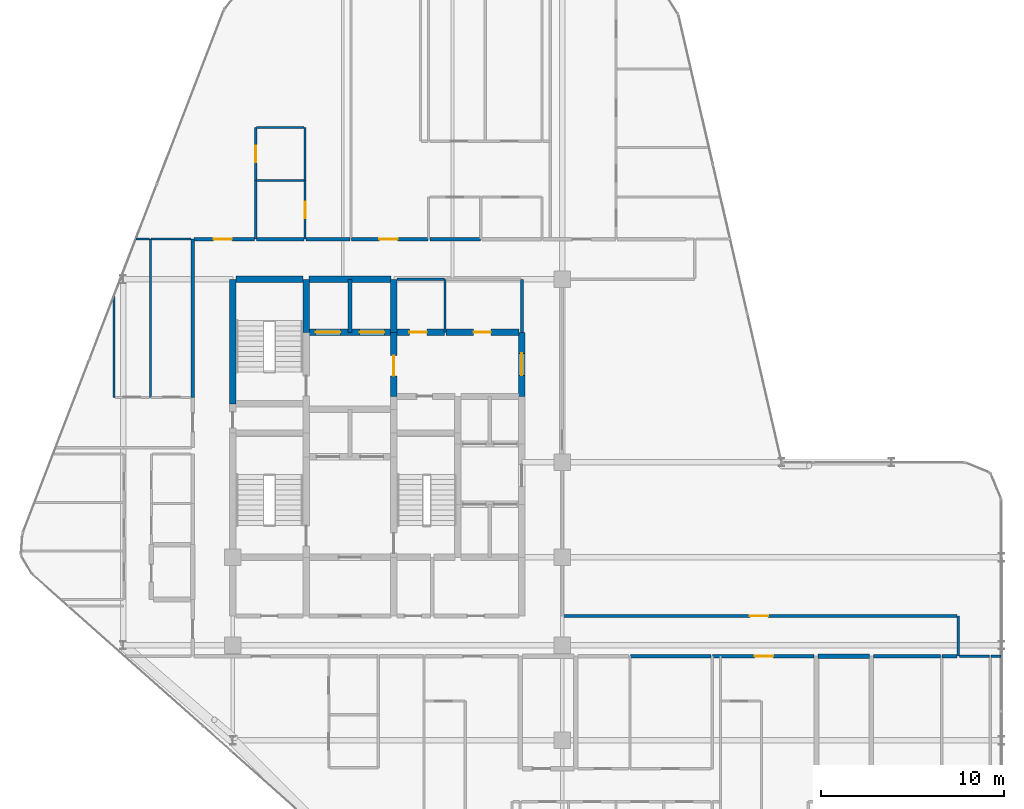
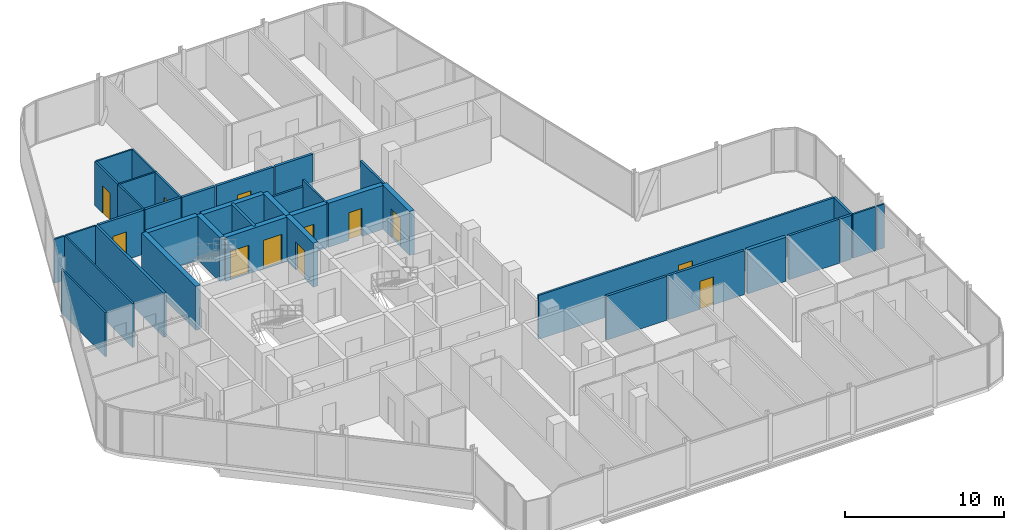
# One storey, part 26 of 29: 39 walls, 12 doors, 12 openings.
"""IFC4 building model written with IfcOpenShell, lengths in metres."""

from ifc_helpers import new_model, si_unit, direction, frame, frame_2d, origin, place, context, subcontext, project, spatial, rectangle, extrude, material, layer, layer_set, type_object, element, fill, save


model = new_model("IFC4")

# Units and contexts
model_context = context("Model", 3, precision=1e-05, world=origin(), true_north=direction((0.0, 1.0)))
body_context = subcontext(model_context, "Body", "Model", "MODEL_VIEW")
ifc_project = project(units=[si_unit("LENGTHUNIT", "METRE"), si_unit("AREAUNIT", "SQUARE_METRE"), si_unit("VOLUMEUNIT", "CUBIC_METRE"), si_unit("PLANEANGLEUNIT", "RADIAN"), si_unit("MASSUNIT", "GRAM", prefix="KILO")], contexts=[model_context])

# Site, building, storey
site_placement = place(None, origin())
site = spatial("IfcSite", under=ifc_project, at=site_placement, CompositionType="ELEMENT")
building_placement = place(site_placement, origin())
building = spatial("IfcBuilding", under=site, at=building_placement, Name="Keshet Zoharim Tower", CompositionType="ELEMENT")
storey_placement = place(building_placement, frame((0.0, 0.0, 176.5)))
storey = spatial("IfcBuildingStorey", under=building, at=storey_placement, Name="L43", CompositionType="ELEMENT", Elevation=176.5)

# Walls
ifc_material_1 = material(Name="Gypsum Plasterboard", Category="gypsum")
ifc_layer_1 = layer(ifc_material_1, 0.14990234375)
ifc_layer_set_1 = layer_set([ifc_layer_1], Name="Gypsum Plasterboard")
wall_type_1 = type_object("IfcWallType", Name="WL-CLIN-150", PredefinedType="STANDARD", material=ifc_layer_set_1)
wall_1_placement = place(storey_placement, frame((30.800048828125, 35.0, 0.0), z_axis=(0.0, 0.0, 1.0), x_axis=(0.0, 1.0, 0.0)))
element("IfcWall", 1, at=wall_1_placement, inside=storey, type_object=wall_type_1, Name="L43 Interior Wall 064", PredefinedType="STANDARD", context=body_context, shape_type="SweptSolid", body=[
    extrude(rectangle(XDim=2.89990234375, YDim=0.14990234375, at=frame_2d((1.449951171875, 0.0))), origin(), (0.0, 0.0, 1.0), 3.389892578125),
])
wall_2_placement = place(storey_placement, frame((54.64990234375, 17.31005859375, 0.0), z_axis=(0.0, 0.0, 1.0), x_axis=(0.0, 1.0, 0.0)))
element("IfcWall", 2, at=wall_2_placement, inside=storey, type_object=wall_type_1, Name="L43 Interior Wall 092", PredefinedType="STANDARD", context=body_context, shape_type="SweptSolid", body=[
    extrude(rectangle(XDim=2.18994140625, YDim=0.14990234375, at=frame_2d((1.094970703125, 0.0))), origin(), (0.0, 0.0, 1.0), 3.389892578125),
])

# Wall, opening, door
wall_3_placement = place(storey_placement, frame((33.070068359375, 19.5, 0.0), z_axis=(0.0, 0.0, 1.0), x_axis=(1.0, 0.0, 0.0)))
wall_3 = element("IfcWall", 3, at=wall_3_placement, inside=storey, type_object=wall_type_1, Name="L43 Interior Wall 127", PredefinedType="STANDARD", context=body_context, shape_type="SweptSolid", body=[
    extrude(rectangle(XDim=21.510009765625, YDim=0.14990234375, at=frame_2d((10.7548828125, 0.0))), origin(), (0.0, 0.0, 1.0), 3.389892578125),
])
opening_1_placement = place(wall_3_placement, frame((10.18505859375, 0.0, 0.0)))
opening_1 = element("IfcOpeningElement", 4, at=opening_1_placement, cuts=wall_3, Name="Opening D-F310", PredefinedType="OPENING", context=body_context, shape_type="SweptSolid", body=[
    extrude(rectangle(XDim=1.0, YDim=2.14990234375, at=frame_2d((0.5, 1.074951171875))), frame((0.0, 0.0849609375, 0.0), z_axis=(0.0, -1.0, 0.0), x_axis=(1.0, 0.0, 0.0)), (0.0, 0.0, 1.0), 0.169921875),
])
ifc_material_2 = material(Name="Hardwood Timber", Category="wood")
door_type_1 = type_object("IfcDoorType", Name="DR-FD30-100", OperationType="NOTDEFINED", PredefinedType="DOOR", material=ifc_material_2)
door_1_placement = place(opening_1_placement, origin())
door_1 = element("IfcDoor", 5, at=door_1_placement, inside=storey, type_object=door_type_1, Name="L43 South East Residents Services Suite Door 1", OperationType="SINGLE_SWING_RIGHT", OverallHeight=2.14990234375, OverallWidth=1.0, PredefinedType="DOOR", context=body_context, shape_type="SweptSolid", body=[
    extrude(rectangle(XDim=1.0, YDim=2.14990234375, at=frame_2d((0.5, 1.074951171875))), frame((0.0, 0.02490234375, 0.0), z_axis=(0.0, -1.0, 0.0), x_axis=(1.0, 0.0, 0.0)), (0.0, 0.0, 1.0), 0.050048828125),
])
fill(opening_1, door_1)

# Walls
wall_4_placement = place(storey_placement, frame((23.9599609375, 37.89990234375, 0.0), z_axis=(0.0, 0.0, 1.0), x_axis=(1.0, 0.0, 0.0)))
element("IfcWall", 6, at=wall_4_placement, inside=storey, type_object=wall_type_1, Name="L43 Interior Wall 160", PredefinedType="STANDARD", context=body_context, shape_type="SweptSolid", body=[
    extrude(rectangle(XDim=2.594970703125, YDim=0.14990234375, at=frame_2d((1.29736328125, 0.0))), origin(), (0.0, 0.0, 1.0), 2.889892578125),
])
ifc_material_3 = material(Name="Concrete C60/75", Category="concrete")
ifc_layer_2 = layer(ifc_material_3, 0.35009765625)
ifc_layer_set_2 = layer_set([ifc_layer_2], Name="Concrete C60/75")
wall_type_2 = type_object("IfcWallType", Name="WL-CORE-350", PredefinedType="SHEAR", material=ifc_layer_set_2)
wall_5_placement = place(storey_placement, frame((15.0, 31.10009765625, 0.0), z_axis=(0.0, 0.0, 1.0), x_axis=(0.0, 1.0, 0.0)))
element("IfcWall", 7, at=wall_5_placement, inside=storey, type_object=wall_type_2, Name="L43 Core Shear Wall 016", PredefinedType="SHEAR", context=body_context, shape_type="SweptSolid", body=[
    extrude(rectangle(XDim=6.7998046875, YDim=0.35009765625, at=frame_2d((3.39990234375, 0.0))), origin(), (0.0, 0.0, 1.0), 3.389892578125),
])
wall_6_placement = place(storey_placement, frame((19.0, 35.0, 0.0), z_axis=(0.0, 0.0, 1.0), x_axis=(0.0, 1.0, 0.0)))
element("IfcWall", 8, at=wall_6_placement, inside=storey, type_object=wall_type_2, Name="L43 Core Shear Wall 025", PredefinedType="SHEAR", context=body_context, shape_type="SweptSolid", body=[
    extrude(rectangle(XDim=2.89990234375, YDim=0.35009765625, at=frame_2d((1.449951171875, 0.0))), origin(), (0.0, 0.0, 1.0), 3.389892578125),
])

# Wall, opening, door
wall_7_placement = place(storey_placement, frame((23.800048828125, 31.5, 0.0), z_axis=(0.0, 0.0, 1.0), x_axis=(0.0, 1.0, 0.0)))
wall_7 = element("IfcWall", 9, at=wall_7_placement, inside=storey, type_object=wall_type_2, Name="L43 Core Shear Wall 038", PredefinedType="SHEAR", context=body_context, shape_type="SweptSolid", body=[
    extrude(rectangle(XDim=3.5, YDim=0.35009765625, at=frame_2d((1.75, 0.0))), origin(), (0.0, 0.0, 1.0), 3.389892578125),
])
opening_2_placement = place(wall_7_placement, frame((1.126953125, 0.0, 0.0)))
opening_2 = element("IfcOpeningElement", 10, at=opening_2_placement, cuts=wall_7, Name="Opening D-F611", PredefinedType="OPENING", context=body_context, shape_type="SweptSolid", body=[
    extrude(rectangle(XDim=1.10009765625, YDim=2.14990234375, at=frame_2d((0.550048828125, 1.074951171875))), frame((0.0, 0.18505859375, 0.0), z_axis=(0.0, -1.0, 0.0), x_axis=(1.0, 0.0, 0.0)), (0.0, 0.0, 1.0), 0.3701171875),
])
door_type_2 = type_object("IfcDoorType", Name="DR-FD60-110", OperationType="NOTDEFINED", PredefinedType="DOOR", material=ifc_material_2)
door_2_placement = place(opening_2_placement, origin())
door_2 = element("IfcDoor", 11, at=door_2_placement, inside=storey, type_object=door_type_2, Name="L43 Firefighting Lobby Fire Door", OperationType="SINGLE_SWING_LEFT", OverallHeight=2.14990234375, OverallWidth=1.10009765625, PredefinedType="DOOR", context=body_context, shape_type="SweptSolid", body=[
    extrude(rectangle(XDim=1.10009765625, YDim=2.14990234375, at=frame_2d((0.550048828125, 1.074951171875))), frame((0.0, 0.02490234375, 0.0), z_axis=(0.0, -1.0, 0.0), x_axis=(1.0, 0.0, 0.0)), (0.0, 0.0, 1.0), 0.050048828125),
])
fill(opening_2, door_2)

# Wall
wall_8_placement = place(storey_placement, frame((23.800048828125, 35.0, 0.0), z_axis=(0.0, 0.0, 1.0), x_axis=(0.0, 1.0, 0.0)))
element("IfcWall", 12, at=wall_8_placement, inside=storey, type_object=wall_type_2, Name="L43 Core Shear Wall 039", PredefinedType="SHEAR", context=body_context, shape_type="SweptSolid", body=[
    extrude(rectangle(XDim=2.89990234375, YDim=0.35009765625, at=frame_2d((1.449951171875, 0.0))), origin(), (0.0, 0.0, 1.0), 3.389892578125),
])

# Wall, opening, door
wall_9_placement = place(storey_placement, frame((30.800048828125, 31.5, 0.0), z_axis=(0.0, 0.0, 1.0), x_axis=(0.0, 1.0, 0.0)))
wall_9 = element("IfcWall", 13, at=wall_9_placement, inside=storey, type_object=wall_type_2, Name="L43 Core Shear Wall 063", PredefinedType="SHEAR", context=body_context, shape_type="SweptSolid", body=[
    extrude(rectangle(XDim=3.5, YDim=0.35009765625, at=frame_2d((1.75, 0.0))), origin(), (0.0, 0.0, 1.0), 3.389892578125),
])
opening_3_placement = place(wall_9_placement, frame((1.14990234375, 0.0, 0.0)))
opening_3 = element("IfcOpeningElement", 14, at=opening_3_placement, cuts=wall_9, Name="Opening D-F612", PredefinedType="OPENING", context=body_context, shape_type="SweptSolid", body=[
    extrude(rectangle(XDim=1.199951171875, YDim=2.199951171875, at=frame_2d((0.60009765625, 1.10009765625))), frame((0.0, 0.18505859375, 0.0), z_axis=(0.0, -1.0, 0.0), x_axis=(1.0, 0.0, 0.0)), (0.0, 0.0, 1.0), 0.3701171875),
])
door_type_3 = type_object("IfcDoorType", Name="DR-FD60-120", OperationType="NOTDEFINED", PredefinedType="DOOR", material=ifc_material_2)
door_3_placement = place(opening_3_placement, origin())
door_3 = element("IfcDoor", 15, at=door_3_placement, inside=storey, type_object=door_type_3, Name="L43 North Lift Lobby East Fire Door", OperationType="SINGLE_SWING_LEFT", OverallHeight=2.199951171875, OverallWidth=1.199951171875, PredefinedType="DOOR", context=body_context, shape_type="SweptSolid", body=[
    extrude(rectangle(XDim=1.199951171875, YDim=2.199951171875, at=frame_2d((0.60009765625, 1.10009765625))), frame((0.0, 0.02490234375, 0.0), z_axis=(0.0, -1.0, 0.0), x_axis=(1.0, 0.0, 0.0)), (0.0, 0.0, 1.0), 0.050048828125),
])
fill(opening_3, door_3)

# Wall, openings, doors
wall_10_placement = place(storey_placement, frame((19.159912109375, 35.0, 0.0), z_axis=(0.0, 0.0, 1.0), x_axis=(1.0, 0.0, 0.0)))
wall_10 = element("IfcWall", 16, at=wall_10_placement, inside=storey, type_object=wall_type_2, Name="L43 Core Shear Wall 155", PredefinedType="SHEAR", context=body_context, shape_type="SweptSolid", body=[
    extrude(rectangle(XDim=4.47998046875, YDim=0.35009765625, at=frame_2d((2.239990234375, 0.0))), origin(), (0.0, 0.0, 1.0), 3.389892578125),
])
opening_4_placement = place(wall_10_placement, frame((0.364990234375, 0.0, 0.0)))
opening_4 = element("IfcOpeningElement", 17, at=opening_4_placement, cuts=wall_10, Name="Opening LD-02", PredefinedType="OPENING", context=body_context, shape_type="SweptSolid", body=[
    extrude(rectangle(XDim=1.35009765625, YDim=2.199951171875, at=frame_2d((0.675048828125, 1.10009765625))), frame((0.0, 0.18505859375, 0.0), z_axis=(0.0, -1.0, 0.0), x_axis=(1.0, 0.0, 0.0)), (0.0, 0.0, 1.0), 0.3701171875),
])
opening_5_placement = place(wall_10_placement, frame((2.764892578125, 0.0, 0.0)))
opening_5 = element("IfcOpeningElement", 18, at=opening_5_placement, cuts=wall_10, Name="Opening LD-02", PredefinedType="OPENING", context=body_context, shape_type="SweptSolid", body=[
    extrude(rectangle(XDim=1.35009765625, YDim=2.199951171875, at=frame_2d((0.675048828125, 1.10009765625))), frame((0.0, 0.18505859375, 0.0), z_axis=(0.0, -1.0, 0.0), x_axis=(1.0, 0.0, 0.0)), (0.0, 0.0, 1.0), 0.3701171875),
])
ifc_material_4 = material(Name="Steel S355", Category="steel")
door_type_4 = type_object("IfcDoorType", Name="DR-LD02-135", OperationType="DOUBLE_DOOR_SLIDING", PredefinedType="DOOR", material=ifc_material_4)
door_4_placement = place(opening_4_placement, origin())
door_4 = element("IfcDoor", 19, at=door_4_placement, inside=storey, type_object=door_type_4, Name="L43 Firefighting Lift Landing Door FF-01", OperationType="DOUBLE_DOOR_SLIDING", OverallHeight=2.199951171875, OverallWidth=1.35009765625, PredefinedType="DOOR", context=body_context, shape_type="SweptSolid", body=[
    extrude(rectangle(XDim=1.35009765625, YDim=2.199951171875, at=frame_2d((0.675048828125, 1.10009765625))), frame((0.0, 0.02490234375, 0.0), z_axis=(0.0, -1.0, 0.0), x_axis=(1.0, 0.0, 0.0)), (0.0, 0.0, 1.0), 0.050048828125),
])
fill(opening_4, door_4)
door_5_placement = place(opening_5_placement, origin())
door_5 = element("IfcDoor", 20, at=door_5_placement, inside=storey, type_object=door_type_4, Name="L43 Firefighting Lift Landing Door FF-02", OperationType="DOUBLE_DOOR_SLIDING", OverallHeight=2.199951171875, OverallWidth=1.35009765625, PredefinedType="DOOR", context=body_context, shape_type="SweptSolid", body=[
    extrude(rectangle(XDim=1.35009765625, YDim=2.199951171875, at=frame_2d((0.675048828125, 1.10009765625))), frame((0.0, 0.02490234375, 0.0), z_axis=(0.0, -1.0, 0.0), x_axis=(1.0, 0.0, 0.0)), (0.0, 0.0, 1.0), 0.050048828125),
])
fill(opening_5, door_5)

# Wall, opening, door
wall_11_placement = place(storey_placement, frame((23.9599609375, 35.0, 0.0), z_axis=(0.0, 0.0, 1.0), x_axis=(1.0, 0.0, 0.0)))
wall_11 = element("IfcWall", 21, at=wall_11_placement, inside=storey, type_object=wall_type_2, Name="L43 Core Shear Wall 156", PredefinedType="SHEAR", context=body_context, shape_type="SweptSolid", body=[
    extrude(rectangle(XDim=2.594970703125, YDim=0.35009765625, at=frame_2d((1.29736328125, 0.0))), origin(), (0.0, 0.0, 1.0), 3.389892578125),
])
opening_6_placement = place(wall_11_placement, frame((0.69091796875, 0.0, 0.0)))
opening_6 = element("IfcOpeningElement", 22, at=opening_6_placement, cuts=wall_11, Name="Opening D-F695", PredefinedType="OPENING", context=body_context, shape_type="SweptSolid", body=[
    extrude(rectangle(XDim=0.949951171875, YDim=2.14990234375, at=frame_2d((0.47509765625, 1.074951171875))), frame((0.0, 0.18505859375, 0.0), z_axis=(0.0, -1.0, 0.0), x_axis=(1.0, 0.0, 0.0)), (0.0, 0.0, 1.0), 0.3701171875),
])
door_type_5 = type_object("IfcDoorType", Name="DR-FD60-095", OperationType="NOTDEFINED", PredefinedType="DOOR", material=ifc_material_2)
door_6_placement = place(opening_6_placement, frame((0.949951171875, 0.0, 0.0), z_axis=(0.0, 0.0, 1.0), x_axis=(-1.0, 0.0, 0.0)))
door_6 = element("IfcDoor", 23, at=door_6_placement, inside=storey, type_object=door_type_5, Name="L43 Laundry Room Door", OperationType="SINGLE_SWING_LEFT", OverallHeight=2.14990234375, OverallWidth=0.949951171875, PredefinedType="DOOR", context=body_context, shape_type="SweptSolid", body=[
    extrude(rectangle(XDim=0.949951171875, YDim=2.14990234375, at=frame_2d((0.47509765625, 1.074951171875))), frame((0.0, 0.02490234375, 0.0), z_axis=(0.0, -1.0, 0.0), x_axis=(1.0, 0.0, 0.0)), (0.0, 0.0, 1.0), 0.050048828125),
])
fill(opening_6, door_6)

wall_12_placement = place(storey_placement, frame((26.64501953125, 35.0, 0.0), z_axis=(0.0, 0.0, 1.0), x_axis=(1.0, 0.0, 0.0)))
wall_12 = element("IfcWall", 24, at=wall_12_placement, inside=storey, type_object=wall_type_2, Name="L43 Core Shear Wall 157", PredefinedType="SHEAR", context=body_context, shape_type="SweptSolid", body=[
    extrude(rectangle(XDim=3.994873046875, YDim=0.35009765625, at=frame_2d((1.99755859375, 0.0))), origin(), (0.0, 0.0, 1.0), 3.389892578125),
])
opening_7_placement = place(wall_12_placement, frame((1.508056640625, 0.0, 0.0)))
opening_7 = element("IfcOpeningElement", 25, at=opening_7_placement, cuts=wall_12, Name="Opening D-F695", PredefinedType="OPENING", context=body_context, shape_type="SweptSolid", body=[
    extrude(rectangle(XDim=0.949951171875, YDim=2.14990234375, at=frame_2d((0.47509765625, 1.074951171875))), frame((0.0, 0.18505859375, 0.0), z_axis=(0.0, -1.0, 0.0), x_axis=(1.0, 0.0, 0.0)), (0.0, 0.0, 1.0), 0.3701171875),
])
door_7_placement = place(opening_7_placement, frame((0.949951171875, 0.0, 0.0), z_axis=(0.0, 0.0, 1.0), x_axis=(-1.0, 0.0, 0.0)))
door_7 = element("IfcDoor", 26, at=door_7_placement, inside=storey, type_object=door_type_5, Name="L43 Quiet Study Room Door", OperationType="SINGLE_SWING_RIGHT", OverallHeight=2.14990234375, OverallWidth=0.949951171875, PredefinedType="DOOR", context=body_context, shape_type="SweptSolid", body=[
    extrude(rectangle(XDim=0.949951171875, YDim=2.14990234375, at=frame_2d((0.47509765625, 1.074951171875))), frame((0.0, 0.02490234375, 0.0), z_axis=(0.0, -1.0, 0.0), x_axis=(1.0, 0.0, 0.0)), (0.0, 0.0, 1.0), 0.050048828125),
])
fill(opening_7, door_7)

# Walls
wall_13_placement = place(storey_placement, frame((15.159912109375, 37.89990234375, 0.0), z_axis=(0.0, 0.0, 1.0), x_axis=(1.0, 0.0, 0.0)))
element("IfcWall", 27, at=wall_13_placement, inside=storey, type_object=wall_type_2, Name="L43 Core Shear Wall 158", PredefinedType="SHEAR", context=body_context, shape_type="SweptSolid", body=[
    extrude(rectangle(XDim=3.68017578125, YDim=0.35009765625, at=frame_2d((1.840087890625, 0.0))), origin(), (0.0, 0.0, 1.0), 3.389892578125),
])
wall_14_placement = place(storey_placement, frame((19.159912109375, 37.89990234375, 0.0), z_axis=(0.0, 0.0, 1.0), x_axis=(1.0, 0.0, 0.0)))
element("IfcWall", 28, at=wall_14_placement, inside=storey, type_object=wall_type_2, Name="L43 Core Shear Wall 159", PredefinedType="SHEAR", context=body_context, shape_type="SweptSolid", body=[
    extrude(rectangle(XDim=4.47998046875, YDim=0.35009765625, at=frame_2d((2.239990234375, 0.0))), origin(), (0.0, 0.0, 1.0), 3.389892578125),
])
ifc_layer_3 = layer(ifc_material_1, 0.179931640625)
ifc_layer_set_3 = layer_set([ifc_layer_3], Name="Gypsum Plasterboard")
wall_type_3 = type_object("IfcWallType", Name="WL-CORR-180", PredefinedType="STANDARD", material=ifc_layer_set_3)
wall_15_placement = place(storey_placement, frame((12.800048828125, 31.449951171875, 0.0), z_axis=(0.0, 0.0, 1.0), x_axis=(0.0, 1.0, 0.0)))
element("IfcWall", 29, at=wall_15_placement, inside=storey, type_object=wall_type_3, Name="L43 Interior Wall 012", PredefinedType="STANDARD", context=body_context, shape_type="SweptSolid", body=[
    extrude(rectangle(XDim=8.650146484375, YDim=0.179931640625, at=frame_2d((4.3251953125, 0.0))), origin(), (0.0, 0.0, 1.0), 3.389892578125),
])
wall_16_placement = place(storey_placement, frame((36.72705078125, 17.300048828125, 0.0), z_axis=(0.0, 0.0, 1.0), x_axis=(1.0, 0.0, 0.0)))
element("IfcWall", 30, at=wall_16_placement, inside=storey, type_object=wall_type_3, Name="L43 Interior Wall 116", PredefinedType="STANDARD", context=body_context, shape_type="SweptSolid", body=[
    extrude(rectangle(XDim=4.407958984375, YDim=0.179931640625, at=frame_2d((2.2041015625, 0.0))), origin(), (0.0, 0.0, 1.0), 3.389892578125),
])

# Wall, opening, door
wall_17_placement = place(storey_placement, frame((41.22509765625, 17.300048828125, 0.0), z_axis=(0.0, 0.0, 1.0), x_axis=(1.0, 0.0, 0.0)))
wall_17 = element("IfcWall", 31, at=wall_17_placement, inside=storey, type_object=wall_type_3, Name="L43 Interior Wall 117", PredefinedType="STANDARD", context=body_context, shape_type="SweptSolid", body=[
    extrude(rectangle(XDim=5.544921875, YDim=0.179931640625, at=frame_2d((2.7724609375, 0.0))), origin(), (0.0, 0.0, 1.0), 3.389892578125),
])
opening_8_placement = place(wall_17_placement, frame((2.304931640625, 0.0, 0.0)))
opening_8 = element("IfcOpeningElement", 32, at=opening_8_placement, cuts=wall_17, Name="Opening D-F310", PredefinedType="OPENING", context=body_context, shape_type="SweptSolid", body=[
    extrude(rectangle(XDim=1.0, YDim=2.14990234375, at=frame_2d((0.5, 1.074951171875))), frame((0.0, 0.10009765625, 0.0), z_axis=(0.0, -1.0, 0.0), x_axis=(1.0, 0.0, 0.0)), (0.0, 0.0, 1.0), 0.199951171875),
])
door_8_placement = place(opening_8_placement, origin())
door_8 = element("IfcDoor", 33, at=door_8_placement, inside=storey, type_object=door_type_1, Name="Apartment 4303 Entrance Door", OperationType="SINGLE_SWING_LEFT", OverallHeight=2.14990234375, OverallWidth=1.0, PredefinedType="DOOR", context=body_context, shape_type="SweptSolid", body=[
    extrude(rectangle(XDim=1.0, YDim=2.14990234375, at=frame_2d((0.5, 1.074951171875))), frame((0.0, 0.02490234375, 0.0), z_axis=(0.0, -1.0, 0.0), x_axis=(1.0, 0.0, 0.0)), (0.0, 0.0, 1.0), 0.050048828125),
])
fill(opening_8, door_8)

# Walls
wall_18_placement = place(storey_placement, frame((50.013916015625, 17.300048828125, 0.0), z_axis=(0.0, 0.0, 1.0), x_axis=(1.0, 0.0, 0.0)))
element("IfcWall", 34, at=wall_18_placement, inside=storey, type_object=wall_type_3, Name="L43 Interior Wall 119", PredefinedType="STANDARD", context=body_context, shape_type="SweptSolid", body=[
    extrude(rectangle(XDim=3.66796875, YDim=0.179931640625, at=frame_2d((1.833984375, 0.0))), origin(), (0.0, 0.0, 1.0), 3.389892578125),
])
wall_19_placement = place(storey_placement, frame((53.77197265625, 17.300048828125, 0.0), z_axis=(0.0, 0.0, 1.0), x_axis=(1.0, 0.0, 0.0)))
element("IfcWall", 35, at=wall_19_placement, inside=storey, type_object=wall_type_3, Name="L43 Interior Wall 120", PredefinedType="STANDARD", context=body_context, shape_type="SweptSolid", body=[
    extrude(rectangle(XDim=0.80810546875, YDim=0.179931640625, at=frame_2d((0.404052734375, 0.0))), origin(), (0.0, 0.0, 1.0), 3.389892578125),
])

# Wall, opening, door
wall_20_placement = place(storey_placement, frame((12.875, 40.10009765625, 0.0), z_axis=(0.0, 0.0, 1.0), x_axis=(1.0, 0.0, 0.0)))
wall_20 = element("IfcWall", 36, at=wall_20_placement, inside=storey, type_object=wall_type_3, Name="L43 Interior Wall 165", PredefinedType="STANDARD", context=body_context, shape_type="SweptSolid", body=[
    extrude(rectangle(XDim=3.320068359375, YDim=0.179931640625, at=frame_2d((1.66015625, 0.0))), origin(), (0.0, 0.0, 1.0), 3.389892578125),
])
opening_9_placement = place(wall_20_placement, frame((1.071044921875, 0.0, 0.0)))
opening_9 = element("IfcOpeningElement", 37, at=opening_9_placement, cuts=wall_20, Name="Opening D-F310", PredefinedType="OPENING", context=body_context, shape_type="SweptSolid", body=[
    extrude(rectangle(XDim=1.0, YDim=2.14990234375, at=frame_2d((0.5, 1.074951171875))), frame((0.0, 0.10009765625, 0.0), z_axis=(0.0, -1.0, 0.0), x_axis=(1.0, 0.0, 0.0)), (0.0, 0.0, 1.0), 0.199951171875),
])
door_9_placement = place(opening_9_placement, origin())
door_9 = element("IfcDoor", 38, at=door_9_placement, inside=storey, type_object=door_type_1, Name="Apartment 4304 Entrance Door", OperationType="SINGLE_SWING_LEFT", OverallHeight=2.14990234375, OverallWidth=1.0, PredefinedType="DOOR", context=body_context, shape_type="SweptSolid", body=[
    extrude(rectangle(XDim=1.0, YDim=2.14990234375, at=frame_2d((0.5, 1.074951171875))), frame((0.0, 0.02490234375, 0.0), z_axis=(0.0, -1.0, 0.0), x_axis=(1.0, 0.0, 0.0)), (0.0, 0.0, 1.0), 0.050048828125),
])
fill(opening_9, door_9)

# Walls
wall_21_placement = place(storey_placement, frame((16.284912109375, 40.10009765625, 0.0), z_axis=(0.0, 0.0, 1.0), x_axis=(1.0, 0.0, 0.0)))
element("IfcWall", 39, at=wall_21_placement, inside=storey, type_object=wall_type_3, Name="L43 Interior Wall 166", PredefinedType="STANDARD", context=body_context, shape_type="SweptSolid", body=[
    extrude(rectangle(XDim=2.610107421875, YDim=0.179931640625, at=frame_2d((1.30517578125, 0.0))), origin(), (0.0, 0.0, 1.0), 3.389892578125),
])
wall_22_placement = place(storey_placement, frame((18.985107421875, 40.10009765625, 0.0), z_axis=(0.0, 0.0, 1.0), x_axis=(1.0, 0.0, 0.0)))
element("IfcWall", 40, at=wall_22_placement, inside=storey, type_object=wall_type_3, Name="L43 Interior Wall 167", PredefinedType="STANDARD", context=body_context, shape_type="SweptSolid", body=[
    extrude(rectangle(XDim=2.409912109375, YDim=0.179931640625, at=frame_2d((1.205078125, 0.0))), origin(), (0.0, 0.0, 1.0), 3.389892578125),
])

# Wall, opening, door
wall_23_placement = place(storey_placement, frame((21.485107421875, 40.10009765625, 0.0), z_axis=(0.0, 0.0, 1.0), x_axis=(1.0, 0.0, 0.0)))
wall_23 = element("IfcWall", 41, at=wall_23_placement, inside=storey, type_object=wall_type_3, Name="L43 Interior Wall 168", PredefinedType="STANDARD", context=body_context, shape_type="SweptSolid", body=[
    extrude(rectangle(XDim=4.18994140625, YDim=0.179931640625, at=frame_2d((2.094970703125, 0.0))), origin(), (0.0, 0.0, 1.0), 3.389892578125),
])
opening_10_placement = place(wall_23_placement, frame((1.52197265625, 0.0, 0.0)))
opening_10 = element("IfcOpeningElement", 42, at=opening_10_placement, cuts=wall_23, Name="Opening D-F310", PredefinedType="OPENING", context=body_context, shape_type="SweptSolid", body=[
    extrude(rectangle(XDim=1.0, YDim=2.14990234375, at=frame_2d((0.5, 1.074951171875))), frame((0.0, 0.10009765625, 0.0), z_axis=(0.0, -1.0, 0.0), x_axis=(1.0, 0.0, 0.0)), (0.0, 0.0, 1.0), 0.199951171875),
])
door_10_placement = place(opening_10_placement, origin())
door_10 = element("IfcDoor", 43, at=door_10_placement, inside=storey, type_object=door_type_1, Name="Apartment 4305 Entrance Door", OperationType="SINGLE_SWING_RIGHT", OverallHeight=2.14990234375, OverallWidth=1.0, PredefinedType="DOOR", context=body_context, shape_type="SweptSolid", body=[
    extrude(rectangle(XDim=1.0, YDim=2.14990234375, at=frame_2d((0.5, 1.074951171875))), frame((0.0, 0.02490234375, 0.0), z_axis=(0.0, -1.0, 0.0), x_axis=(1.0, 0.0, 0.0)), (0.0, 0.0, 1.0), 0.050048828125),
])
fill(opening_10, door_10)

# Walls
wall_24_placement = place(storey_placement, frame((25.764892578125, 40.10009765625, 0.0), z_axis=(0.0, 0.0, 1.0), x_axis=(1.0, 0.0, 0.0)))
element("IfcWall", 44, at=wall_24_placement, inside=storey, type_object=wall_type_3, Name="L43 Interior Wall 169", PredefinedType="STANDARD", context=body_context, shape_type="SweptSolid", body=[
    extrude(rectangle(XDim=2.76220703125, YDim=0.179931640625, at=frame_2d((1.381103515625, 0.0))), origin(), (0.0, 0.0, 1.0), 3.389892578125),
])
ifc_material_5 = material(Name="Concrete C50/60", Category="concrete")
ifc_layer_4 = layer(ifc_material_5, 0.199951171875)
ifc_layer_set_4 = layer_set([ifc_layer_4], Name="Concrete C50/60")
wall_type_4 = type_object("IfcWallType", Name="WL-FIRE-200", PredefinedType="STANDARD", material=ifc_layer_set_4)
wall_25_placement = place(storey_placement, frame((21.39990234375, 35.0, 0.0), z_axis=(0.0, 0.0, 1.0), x_axis=(0.0, 1.0, 0.0)))
element("IfcWall", 45, at=wall_25_placement, inside=storey, type_object=wall_type_4, Name="L43 Interior Wall 029", PredefinedType="STANDARD", context=body_context, shape_type="SweptSolid", body=[
    extrude(rectangle(XDim=2.89990234375, YDim=0.199951171875, at=frame_2d((1.449951171875, 0.0))), origin(), (0.0, 0.0, 1.0), 3.389892578125),
])
ifc_layer_5 = layer(ifc_material_5, 0.25)
ifc_layer_set_5 = layer_set([ifc_layer_5], Name="Concrete C50/60")
wall_type_5 = type_object("IfcWallType", Name="WL-MAMAD-250", PredefinedType="STANDARD", material=ifc_layer_set_5)
wall_26_placement = place(storey_placement, frame((46.989990234375, 17.300048828125, 0.0), z_axis=(0.0, 0.0, 1.0), x_axis=(1.0, 0.0, 0.0)))
element("IfcWall", 46, at=wall_26_placement, inside=storey, type_object=wall_type_5, Name="L43 Interior Wall 118", PredefinedType="STANDARD", context=body_context, shape_type="SweptSolid", body=[
    extrude(rectangle(XDim=2.803955078125, YDim=0.25, at=frame_2d((1.40185546875, 0.0))), origin(), (0.0, 0.0, 1.0), 3.389892578125),
])
ifc_layer_6 = layer(ifc_material_1, 0.1201171875)
ifc_layer_set_6 = layer_set([ifc_layer_6], Name="Gypsum Plasterboard")
wall_type_6 = type_object("IfcWallType", Name="WL-PART-120", PredefinedType="PARTITIONING", material=ifc_layer_set_6)
wall_27_placement = place(storey_placement, frame((8.5, 31.449951171875, 0.0), z_axis=(0.0, 0.0, 1.0), x_axis=(0.0, 1.0, 0.0)))
element("IfcWall", 47, at=wall_27_placement, inside=storey, type_object=wall_type_6, Name="L43 Interior Wall 001", PredefinedType="PARTITIONING", context=body_context, shape_type="SweptSolid", body=[
    extrude(rectangle(XDim=5.5400390625, YDim=0.1201171875, at=frame_2d((2.77001953125, 0.0))), origin(), (0.0, 0.0, 1.0), 3.389892578125),
])
wall_28_placement = place(storey_placement, frame((16.25, 40.10009765625, 0.0), z_axis=(0.0, 0.0, 1.0), x_axis=(0.0, 1.0, 0.0)))
element("IfcWall", 48, at=wall_28_placement, inside=storey, type_object=wall_type_6, Name="L43 Interior Wall 017", PredefinedType="PARTITIONING", context=body_context, shape_type="SweptSolid", body=[
    extrude(rectangle(XDim=3.199951171875, YDim=0.1201171875, at=frame_2d((1.60009765625, 0.0))), origin(), (0.0, 0.0, 1.0), 3.389892578125),
])

# Wall, opening, door
wall_29_placement = place(storey_placement, frame((18.949951171875, 40.10009765625, 0.0), z_axis=(0.0, 0.0, 1.0), x_axis=(0.0, 1.0, 0.0)))
wall_29 = element("IfcWall", 49, at=wall_29_placement, inside=storey, type_object=wall_type_6, Name="L43 Interior Wall 019", PredefinedType="PARTITIONING", context=body_context, shape_type="SweptSolid", body=[
    extrude(rectangle(XDim=3.199951171875, YDim=0.1201171875, at=frame_2d((1.60009765625, 0.0))), origin(), (0.0, 0.0, 1.0), 3.389892578125),
])
opening_11_placement = place(wall_29_placement, frame((1.14990234375, 0.0, 0.0)))
opening_11 = element("IfcOpeningElement", 50, at=opening_11_placement, cuts=wall_29, Name="Opening D-IN90", PredefinedType="OPENING", context=body_context, shape_type="SweptSolid", body=[
    extrude(rectangle(XDim=0.89990234375, YDim=2.14990234375, at=frame_2d((0.449951171875, 1.074951171875))), frame((0.0, 0.070068359375, 0.0), z_axis=(0.0, -1.0, 0.0), x_axis=(1.0, 0.0, 0.0)), (0.0, 0.0, 1.0), 0.14013671875),
])
door_type_6 = type_object("IfcDoorType", Name="DR-INT-090", OperationType="NOTDEFINED", PredefinedType="DOOR", material=ifc_material_2)
door_11_placement = place(opening_11_placement, origin())
door_11 = element("IfcDoor", 51, at=door_11_placement, inside=storey, type_object=door_type_6, Name="Apartment 4304 Kitchenette Door", OperationType="SINGLE_SWING_LEFT", OverallHeight=2.14990234375, OverallWidth=0.89990234375, PredefinedType="DOOR", context=body_context, shape_type="SweptSolid", body=[
    extrude(rectangle(XDim=0.89990234375, YDim=2.14990234375, at=frame_2d((0.449951171875, 1.074951171875))), frame((0.0, 0.02490234375, 0.0), z_axis=(0.0, -1.0, 0.0), x_axis=(1.0, 0.0, 0.0)), (0.0, 0.0, 1.0), 0.050048828125),
])
fill(opening_11, door_11)

# Walls
wall_30_placement = place(storey_placement, frame((26.60009765625, 35.0, 0.0), z_axis=(0.0, 0.0, 1.0), x_axis=(0.0, 1.0, 0.0)))
element("IfcWall", 52, at=wall_30_placement, inside=storey, type_object=wall_type_6, Name="L43 Interior Wall 046", PredefinedType="PARTITIONING", context=body_context, shape_type="SweptSolid", body=[
    extrude(rectangle(XDim=2.89990234375, YDim=0.1201171875, at=frame_2d((1.449951171875, 0.0))), origin(), (0.0, 0.0, 1.0), 3.389892578125),
])
wall_31_placement = place(storey_placement, frame((56.43505859375, 17.300048828125, 0.0), z_axis=(0.0, 0.0, 1.0), x_axis=(1.0, 0.0, 0.0)))
element("IfcWall", 53, at=wall_31_placement, inside=storey, type_object=wall_type_6, Name="L43 Interior Wall 122", PredefinedType="PARTITIONING", context=body_context, shape_type="SweptSolid", body=[
    extrude(rectangle(XDim=0.554931640625, YDim=0.1201171875, at=frame_2d((0.27734375, 0.0))), origin(), (0.0, 0.0, 1.0), 3.389892578125),
])
wall_32_placement = place(storey_placement, frame((9.701904296875, 40.10009765625, 0.0), z_axis=(0.0, 0.0, 1.0), x_axis=(1.0, 0.0, 0.0)))
element("IfcWall", 54, at=wall_32_placement, inside=storey, type_object=wall_type_6, Name="L43 Interior Wall 163", PredefinedType="PARTITIONING", context=body_context, shape_type="SweptSolid", body=[
    extrude(rectangle(XDim=0.731201171875, YDim=0.1201171875, at=frame_2d((0.36572265625, 0.0))), origin(), (0.0, 0.0, 1.0), 3.389892578125),
])
ifc_layer_7 = layer(ifc_material_1, 0.1201171875)
ifc_layer_set_7 = layer_set([ifc_layer_7], Name="Gypsum Plasterboard")
wall_type_7 = type_object("IfcWallType", Name="WL-WET-120", PredefinedType="PARTITIONING", material=ifc_layer_set_7)
wall_33_placement = place(storey_placement, frame((10.5, 31.449951171875, 0.0), z_axis=(0.0, 0.0, 1.0), x_axis=(0.0, 1.0, 0.0)))
element("IfcWall", 55, at=wall_33_placement, inside=storey, type_object=wall_type_7, Name="L43 Interior Wall 003", PredefinedType="PARTITIONING", context=body_context, shape_type="SweptSolid", body=[
    extrude(rectangle(XDim=8.650146484375, YDim=0.1201171875, at=frame_2d((4.3251953125, 0.0))), origin(), (0.0, 0.0, 1.0), 3.389892578125),
])

# Wall, opening, door
wall_34_placement = place(storey_placement, frame((16.25, 43.300048828125, 0.0), z_axis=(0.0, 0.0, 1.0), x_axis=(0.0, 1.0, 0.0)))
wall_34 = element("IfcWall", 56, at=wall_34_placement, inside=storey, type_object=wall_type_7, Name="L43 Interior Wall 018", PredefinedType="PARTITIONING", context=body_context, shape_type="SweptSolid", body=[
    extrude(rectangle(XDim=2.89990234375, YDim=0.1201171875, at=frame_2d((1.449951171875, 0.0))), origin(), (0.0, 0.0, 1.0), 3.389892578125),
])
opening_12_placement = place(wall_34_placement, frame((1.0, 0.0, 0.0)))
opening_12 = element("IfcOpeningElement", 57, at=opening_12_placement, cuts=wall_34, Name="Opening D-WT90", PredefinedType="OPENING", context=body_context, shape_type="SweptSolid", body=[
    extrude(rectangle(XDim=0.89990234375, YDim=2.10009765625, at=frame_2d((0.449951171875, 1.050048828125))), frame((0.0, 0.070068359375, 0.0), z_axis=(0.0, -1.0, 0.0), x_axis=(1.0, 0.0, 0.0)), (0.0, 0.0, 1.0), 0.14013671875),
])
door_type_7 = type_object("IfcDoorType", Name="DR-WET-090", OperationType="NOTDEFINED", PredefinedType="DOOR", material=ifc_material_2)
door_12_placement = place(opening_12_placement, origin())
door_12 = element("IfcDoor", 58, at=door_12_placement, inside=storey, type_object=door_type_7, Name="Apartment 4304 Bathroom Door", OperationType="SINGLE_SWING_RIGHT", OverallHeight=2.10009765625, OverallWidth=0.89990234375, PredefinedType="DOOR", context=body_context, shape_type="SweptSolid", body=[
    extrude(rectangle(XDim=0.89990234375, YDim=2.10009765625, at=frame_2d((0.449951171875, 1.050048828125))), frame((0.0, 0.02490234375, 0.0), z_axis=(0.0, -1.0, 0.0), x_axis=(1.0, 0.0, 0.0)), (0.0, 0.0, 1.0), 0.050048828125),
])
fill(opening_12, door_12)

# Walls
wall_35_placement = place(storey_placement, frame((18.949951171875, 43.300048828125, 0.0), z_axis=(0.0, 0.0, 1.0), x_axis=(0.0, 1.0, 0.0)))
element("IfcWall", 59, at=wall_35_placement, inside=storey, type_object=wall_type_7, Name="L43 Interior Wall 020", PredefinedType="PARTITIONING", context=body_context, shape_type="SweptSolid", body=[
    extrude(rectangle(XDim=2.89990234375, YDim=0.1201171875, at=frame_2d((1.449951171875, 0.0))), origin(), (0.0, 0.0, 1.0), 3.389892578125),
])
wall_36_placement = place(storey_placement, frame((54.7099609375, 17.300048828125, 0.0), z_axis=(0.0, 0.0, 1.0), x_axis=(1.0, 0.0, 0.0)))
element("IfcWall", 60, at=wall_36_placement, inside=storey, type_object=wall_type_7, Name="L43 Interior Wall 121", PredefinedType="PARTITIONING", context=body_context, shape_type="SweptSolid", body=[
    extrude(rectangle(XDim=1.635009765625, YDim=0.1201171875, at=frame_2d((0.8173828125, 0.0))), origin(), (0.0, 0.0, 1.0), 3.389892578125),
])
wall_37_placement = place(storey_placement, frame((10.52294921875, 40.10009765625, 0.0), z_axis=(0.0, 0.0, 1.0), x_axis=(1.0, 0.0, 0.0)))
element("IfcWall", 61, at=wall_37_placement, inside=storey, type_object=wall_type_7, Name="L43 Interior Wall 164", PredefinedType="PARTITIONING", context=body_context, shape_type="SweptSolid", body=[
    extrude(rectangle(XDim=2.2021484375, YDim=0.1201171875, at=frame_2d((1.10107421875, 0.0))), origin(), (0.0, 0.0, 1.0), 3.389892578125),
])
for number, where, z_axis, x_axis, name in (
    (62, (16.284912109375, 43.300048828125, 0.0), (0.0, 0.0, 1.0), (1.0, 0.0, 0.0), "L43 Interior Wall 178"),
    (63, (16.284912109375, 46.199951171875, 0.0), (0.0, 0.0, 1.0), (1.0, 0.0, 0.0), "L43 Interior Wall 183"),
):
    element("IfcWall", number, at=place(storey_placement, frame(where, z_axis=z_axis, x_axis=x_axis)), inside=storey, type_object=wall_type_7, Name=name, PredefinedType="PARTITIONING", context=body_context, shape_type="SweptSolid", body=[
        extrude(rectangle(XDim=2.610107421875, YDim=0.1201171875, at=frame_2d((1.30517578125, 0.0))), origin(), (0.0, 0.0, 1.0), 3.389892578125),
    ])

save(model, "model.ifc")
